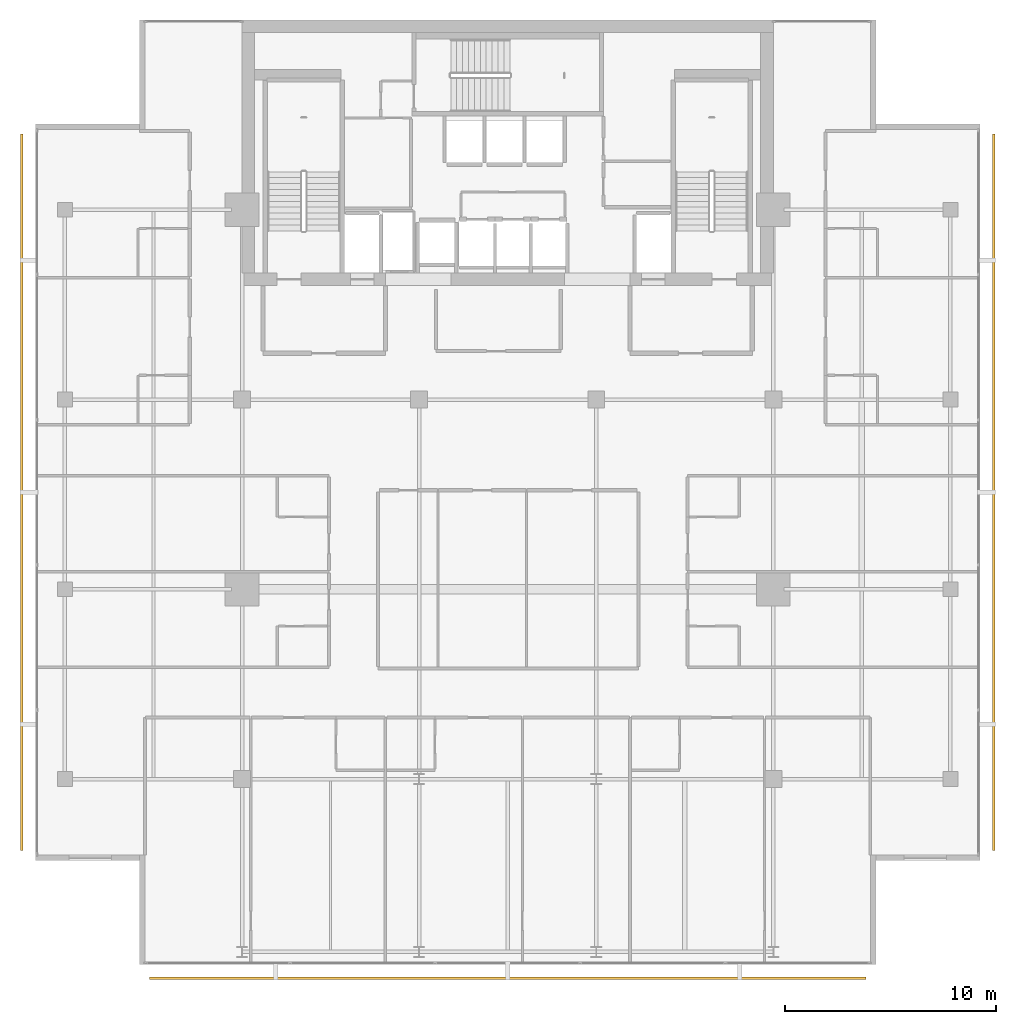
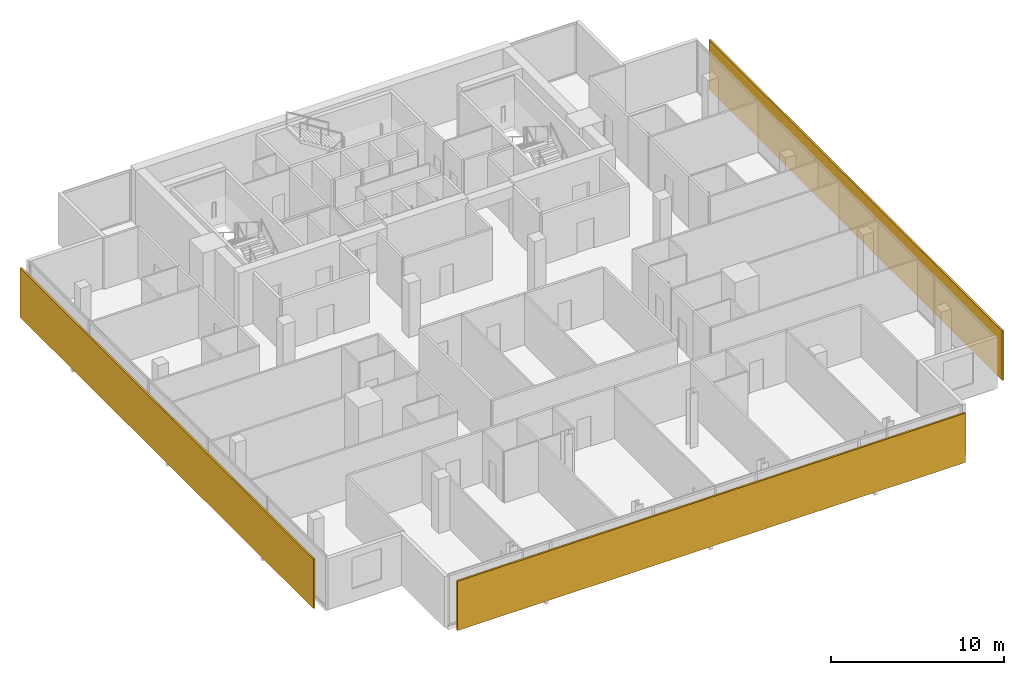
# One storey, part 24 of 25: 3 shading devices.
"""IFC4 building model written with IfcOpenShell, lengths in metres."""

from ifc_helpers import new_model, si_unit, direction, frame, origin, origin_2d, place, context, subcontext, project, spatial, rectangle, extrude, material, layer, layer_set, type_object, element, save


model = new_model("IFC4")

# Units and contexts
model_context = context("Model", 3, precision=1e-05, world=origin(), true_north=direction((0.0, 1.0)))
body_context = subcontext(model_context, "Body", "Model", "MODEL_VIEW")
ifc_project = project(units=[si_unit("LENGTHUNIT", "METRE"), si_unit("AREAUNIT", "SQUARE_METRE"), si_unit("VOLUMEUNIT", "CUBIC_METRE"), si_unit("PLANEANGLEUNIT", "RADIAN"), si_unit("MASSUNIT", "GRAM", prefix="KILO")], contexts=[model_context])

# Site, building, storey
site_placement = place(None, origin())
site = spatial("IfcSite", under=ifc_project, at=site_placement, CompositionType="ELEMENT")
building_placement = place(site_placement, origin())
building = spatial("IfcBuilding", under=site, at=building_placement, Name="Maruvema Waterfront Hotel and Observation Tower", CompositionType="ELEMENT")
storey_placement = place(building_placement, frame((0.0, 0.0, 304.85009765625)))
storey = spatial("IfcBuildingStorey", under=building, at=storey_placement, Name="L75", CompositionType="ELEMENT", Elevation=304.85009765625)

# Shading devices
ifc_material = material(Name="Honed travertine stone and anodised architectural bronze", Category="masonry")
ifc_layer = layer(ifc_material, 0.1201171875, Name="Ventilated Outer Skin Cobogo Stone-and-Bronze Screen 120 mm")
ifc_layer_set = layer_set([ifc_layer], Name="Honed travertine stone and anodised architectural bronze")
shading_device_type = type_object("IfcShadingDeviceType", Name="Ventilated Outer Skin Cobogo Stone-and-Bronze Screen 120 mm", PredefinedType="USERDEFINED", material=ifc_layer_set)
for number, where, z_axis, x_axis, name in (
    (1, (37.800048828125, 8.550048828125, 0.06005859375), (0.0, 0.0, 1.0), (1.0, 0.0, 0.0), "L75 Ventilated Double-Skin Outer Cobogo Screen OS-L75-S"),
    (2, (60.85009765625, 31.60009765625, 0.06005859375), (0.0, 0.0, 1.0), (0.0, 1.0, 0.0), "L75 Ventilated Double-Skin Outer Cobogo Screen OS-L75-E"),
    (3, (14.75, 31.60009765625, 0.06005859375), (0.0, 0.0, 1.0), (0.0, -1.0, 0.0), "L75 Ventilated Double-Skin Outer Cobogo Screen OS-L75-W"),
):
    element("IfcShadingDevice", number, at=place(storey_placement, frame(where, z_axis=z_axis, x_axis=x_axis)), inside=storey, type_object=shading_device_type, Name=name, ObjectType="OUTER SKIN SCREEN", PredefinedType="USERDEFINED", context=body_context, shape_type="SweptSolid", body=[
        extrude(rectangle(XDim=34.0, YDim=0.1201171875, at=origin_2d()), origin(), (0.0, 0.0, 1.0), 3.489990234375),
    ])

save(model, "model.ifc")
